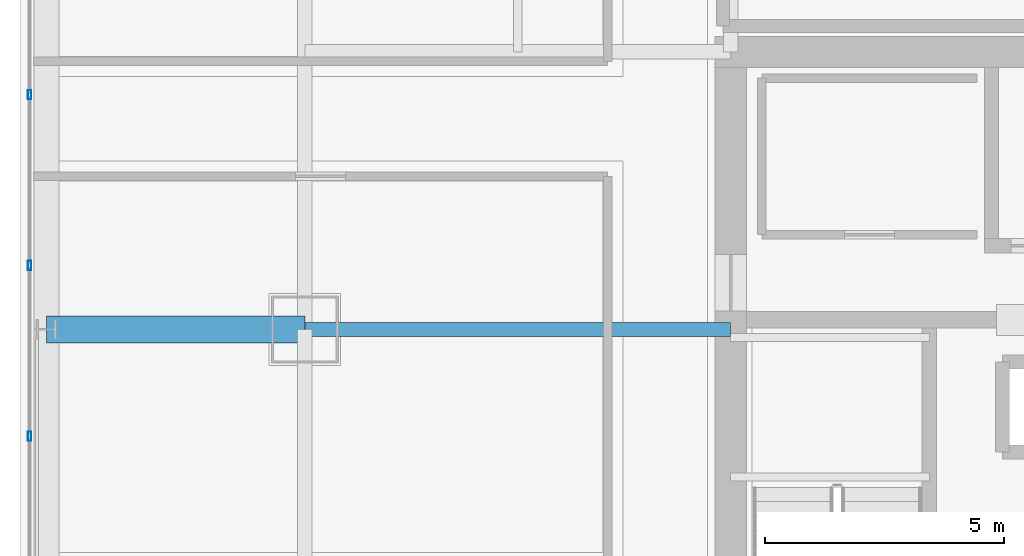
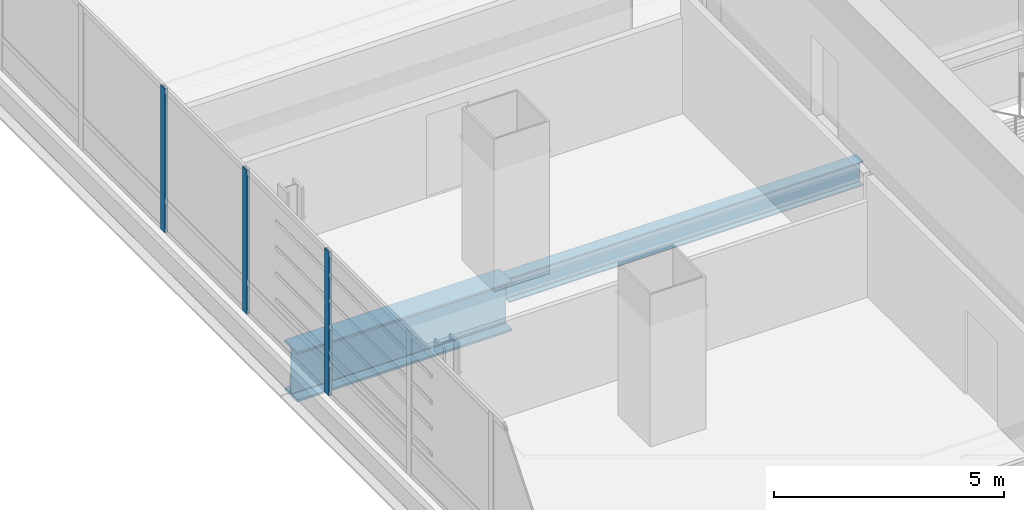
# One storey, part 11 of 36: 3 members, 2 beams, 1 element without a shape of its own.
"""IFC4 building model written with IfcOpenShell, lengths in metres."""

from ifc_helpers import new_model, si_unit, direction, frame, origin, origin_2d, place, context, subcontext, project, spatial, hollow_rectangle, i_section, extrude, material, material_profile, profile_set, type_object, element, aggregate, save


model = new_model("IFC4")

# Units and contexts
model_context = context("Model", 3, precision=1e-05, world=origin(), true_north=direction((0.0, 1.0)))
body_context = subcontext(model_context, "Body", "Model", "MODEL_VIEW")
ifc_project = project(units=[si_unit("LENGTHUNIT", "METRE"), si_unit("AREAUNIT", "SQUARE_METRE"), si_unit("VOLUMEUNIT", "CUBIC_METRE"), si_unit("PLANEANGLEUNIT", "RADIAN"), si_unit("MASSUNIT", "GRAM", prefix="KILO")], contexts=[model_context])

# Site, building, storey
site_placement = place(None, origin())
site = spatial("IfcSite", under=ifc_project, at=site_placement, CompositionType="ELEMENT")
building_placement = place(site_placement, origin())
building = spatial("IfcBuilding", under=site, at=building_placement, Name="Punatoya Terracotta Tower", CompositionType="ELEMENT")
storey_placement = place(building_placement, frame((0.0, 0.0, 176.25)))
storey = spatial("IfcBuildingStorey", under=building, at=storey_placement, Name="L41", CompositionType="ELEMENT", Elevation=176.25)

# Beams
ifc_material_1 = material(Name="Steel S355", Category="steel")
ifc_material_profile_1 = material_profile(ifc_material_1, i_section(OverallWidth=0.300048828125, OverallDepth=0.64990234375, WebThickness=0.01611328125, FlangeThickness=0.031005859375, FilletRadius=0.01806640625, at=origin_2d()))
ifc_profile_set_1 = profile_set([ifc_material_profile_1], Name="Steel S355")
beam_type_1 = type_object("IfcBeamType", Name="BM-PRI-650", PredefinedType="BEAM", material=ifc_profile_set_1)
beam_1_placement = place(storey_placement, frame((-19.10009765625, 3.39990234375, -0.544921875), z_axis=(1.0, 0.0, 0.0), x_axis=(0.0, 1.0, 0.0)))
element("IfcBeam", 1, at=beam_1_placement, inside=storey, type_object=beam_type_1, Name="BM-L41-PR-WE", PredefinedType="BEAM", context=body_context, shape_type="SweptSolid", body=[
    extrude(i_section(OverallWidth=0.300048828125, OverallDepth=0.64990234375, WebThickness=0.01611328125, FlangeThickness=0.031005859375, FilletRadius=0.01806640625, at=origin_2d()), origin(), (0.0, 0.0, 1.0), 8.900146484375),
])
ifc_material_2 = material(Name="Steel S460", Category="steel")
ifc_material_profile_2 = material_profile(ifc_material_2, i_section(OverallWidth=0.56005859375, OverallDepth=1.320068359375, WebThickness=0.035888671875, FlangeThickness=0.054931640625, FilletRadius=0.01806640625, at=origin_2d()))
ifc_profile_set_2 = profile_set([ifc_material_profile_2], Name="Steel S460")
beam_type_2 = type_object("IfcBeamType", Name="BM-TG-BLK", PredefinedType="BEAM", material=ifc_profile_set_2)
beam_2_placement = place(storey_placement, frame((-24.5, 3.39990234375, -0.8798828125), z_axis=(1.0, 0.0, 0.0), x_axis=(0.0, 1.0, 0.0)))
element("IfcBeam", 2, at=beam_2_placement, inside=storey, type_object=beam_type_2, Name="BM-L41-CANT-W3", PredefinedType="BEAM", context=body_context, shape_type="SweptSolid", body=[
    extrude(i_section(OverallWidth=0.56005859375, OverallDepth=1.320068359375, WebThickness=0.035888671875, FlangeThickness=0.054931640625, FilletRadius=0.01806640625, at=origin_2d()), origin(), (0.0, 0.0, 1.0), 5.39990234375),
])

# Curtain wall, members
ifc_material_3 = material(Name="Aluminium 6063-T6 + Double Low-E Glass", Category="aluminium")
curtain_wall_type = type_object("IfcCurtainWallType", Name="CW-M2", PredefinedType="NOTDEFINED", material=ifc_material_3)
curtain_wall_placement = place(storey_placement, origin())
curtain_wall = element("IfcCurtainWall", 3, at=curtain_wall_placement, inside=storey, type_object=curtain_wall_type, Name="L41 Curtain Wall CW-L41-W13-1", PredefinedType="NOTDEFINED")
ifc_material_4 = material(Name="Aluminium 6063-T6", Category="aluminium")
ifc_material_profile_3 = material_profile(ifc_material_4, hollow_rectangle(XDim=0.072021484375, YDim=0.195068359375, WallThickness=0.00439453125, at=origin_2d()))
ifc_profile_set_3 = profile_set([ifc_material_profile_3], Name="Aluminium 6063-T6")
member_type = type_object("IfcMemberType", Name="CW-MUL-M2", PredefinedType="MULLION", material=ifc_profile_set_3)
member_1_placement = place(storey_placement, frame((-24.85009765625, 8.302001953125, 0.0), z_axis=(0.0, 0.0, 1.0), x_axis=(1.0, 0.0, 0.0)))
member_1 = element("IfcMember", 4, at=member_1_placement, type_object=member_type, Name="CW-L41-W13-1 Mullion 02", PredefinedType="MULLION", context=body_context, shape_type="SweptSolid", body=[
    extrude(hollow_rectangle(XDim=0.072021484375, YDim=0.195068359375, WallThickness=0.00439453125, at=origin_2d()), origin(), (0.0, 0.0, 1.0), 3.830078125),
])
member_2_placement = place(storey_placement, frame((-24.85009765625, 4.73486328125, 0.0), z_axis=(0.0, 0.0, 1.0), x_axis=(1.0, 0.0, 0.0)))
member_2 = element("IfcMember", 5, at=member_2_placement, type_object=member_type, Name="CW-L41-W13-1 Mullion 03", PredefinedType="MULLION", context=body_context, shape_type="SweptSolid", body=[
    extrude(hollow_rectangle(XDim=0.072021484375, YDim=0.195068359375, WallThickness=0.00439453125, at=origin_2d()), origin(), (0.0, 0.0, 1.0), 3.830078125),
])
member_3_placement = place(storey_placement, frame((-24.85009765625, 1.16748046875, 0.0), z_axis=(0.0, 0.0, 1.0), x_axis=(1.0, 0.0, 0.0)))
member_3 = element("IfcMember", 6, at=member_3_placement, type_object=member_type, Name="CW-L41-W13-1 Mullion 04", PredefinedType="MULLION", context=body_context, shape_type="SweptSolid", body=[
    extrude(hollow_rectangle(XDim=0.072021484375, YDim=0.195068359375, WallThickness=0.00439453125, at=origin_2d()), origin(), (0.0, 0.0, 1.0), 3.830078125),
])
aggregate(curtain_wall, [member_1, member_2, member_3])

save(model, "model.ifc")
